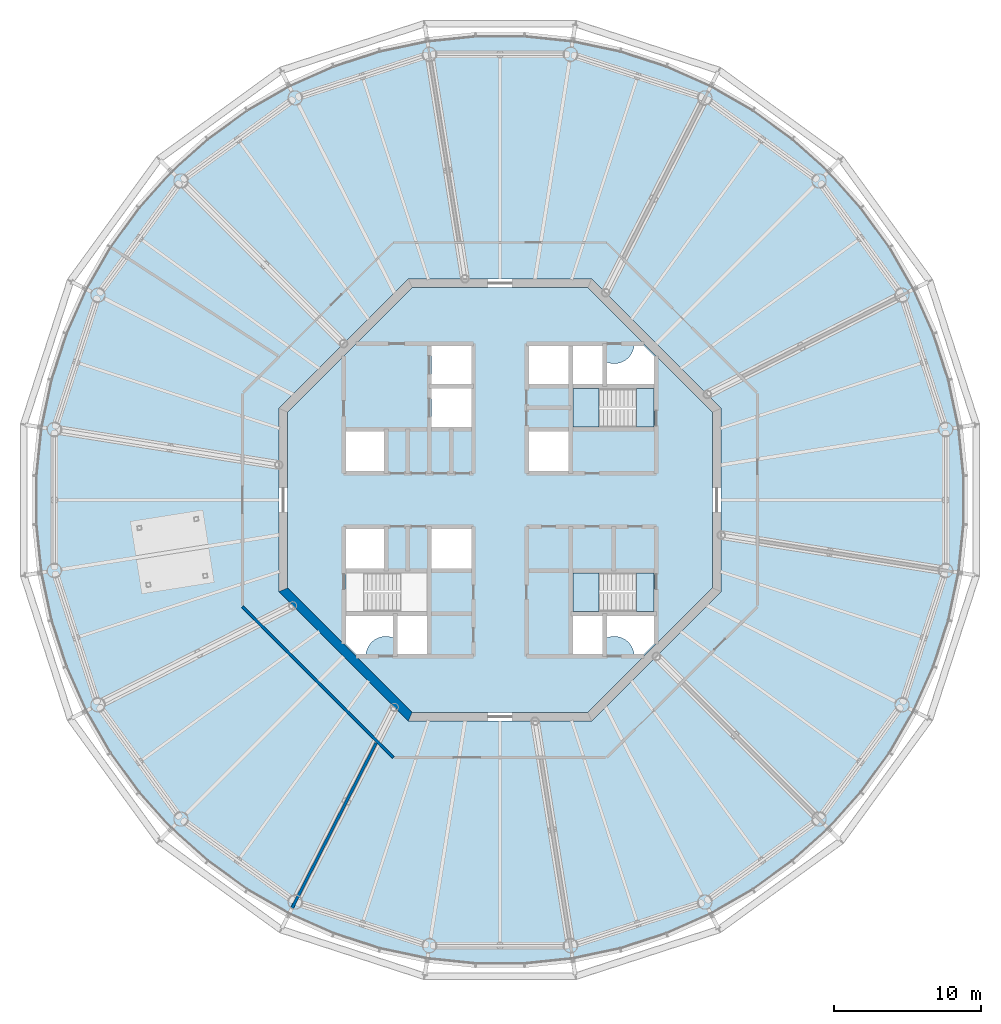
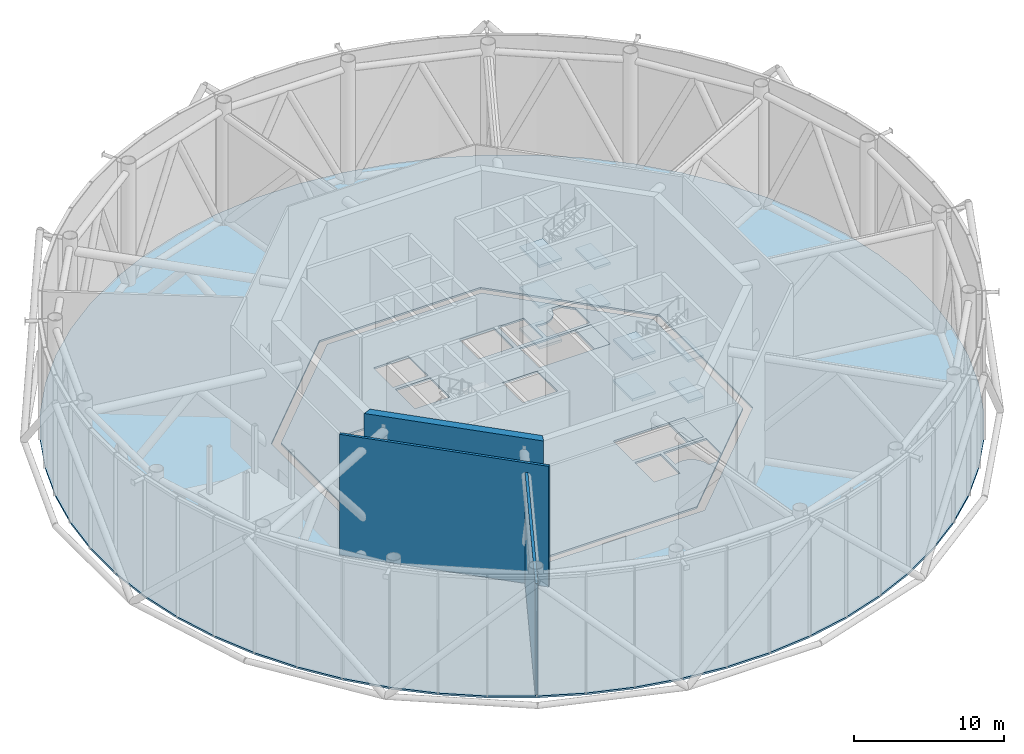
# One storey, part 5 of 23: 13 slabs, 3 walls, 2 elements without a shape of their own.
"""IFC4 building model written with IfcOpenShell, lengths in metres."""

from ifc_helpers import new_model, si_unit, direction, frame, frame_2d, origin, place, context, subcontext, project, spatial, polyline, rectangle, outline, extrude, material, layer, layer_set, type_object, element, aggregate, save


model = new_model("IFC4")

# Units and contexts
model_context = context("Model", 3, precision=1e-05, world=origin(), true_north=direction((0.0, 1.0)))
body_context = subcontext(model_context, "Body", "Model", "MODEL_VIEW")
ifc_project = project(units=[si_unit("LENGTHUNIT", "METRE"), si_unit("AREAUNIT", "SQUARE_METRE"), si_unit("VOLUMEUNIT", "CUBIC_METRE"), si_unit("PLANEANGLEUNIT", "RADIAN"), si_unit("MASSUNIT", "GRAM", prefix="KILO")], contexts=[model_context])

# Site, building, storey
site_placement = place(None, origin())
site = spatial("IfcSite", under=ifc_project, at=site_placement, CompositionType="ELEMENT")
building_placement = place(site_placement, origin())
building = spatial("IfcBuilding", under=site, at=building_placement, Name="Entoto Ring Tower", CompositionType="ELEMENT")
storey_placement = place(building_placement, frame((0.0, 0.0, 392.0)))
storey = spatial("IfcBuildingStorey", under=building, at=storey_placement, Name="L91", CompositionType="ELEMENT", Elevation=392.0)

# Slabs
ifc_material_1 = material(Name="Concrete C30/37", Category="concrete")
ifc_layer_1 = layer(ifc_material_1, 0.14990234375)
ifc_layer_set_1 = layer_set([ifc_layer_1], Name="Concrete C30/37")
slab_type_1 = type_object("IfcSlabType", Name="Composite floor slab 150 mm", PredefinedType="FLOOR", material=ifc_layer_set_1)
slab_1_placement = place(storey_placement, frame((0.0, 0.0, -0.14990234375)))
element("IfcSlab", 1, at=slab_1_placement, inside=storey, type_object=slab_type_1, Name="Floor slab L91", PredefinedType="FLOOR", context=body_context, shape_type="SweptSolid", body=[
    extrude(outline(polyline([(121.2109375, 84.943359375), (120.523193359375, 88.1787109375), (119.501220703125, 91.324462890625), (118.15576171875, 94.34619140625), (116.501953125, 97.210693359375), (114.557861328125, 99.886474609375), (112.344482421875, 102.344482421875), (109.886474609375, 104.557861328125), (107.210693359375, 106.501953125), (104.34619140625, 108.15576171875), (101.324462890625, 109.501220703125), (98.1787109375, 110.523193359375), (94.943359375, 111.2109375), (91.65380859375, 111.556640625), (88.34619140625, 111.556640625), (85.056640625, 111.2109375), (81.8212890625, 110.523193359375), (78.675537109375, 109.501220703125), (75.65380859375, 108.15576171875), (72.789306640625, 106.501953125), (70.113525390625, 104.557861328125), (67.655517578125, 102.344482421875), (65.442138671875, 99.886474609375), (63.498046875, 97.210693359375), (61.84423828125, 94.34619140625), (60.498779296875, 91.324462890625), (59.476806640625, 88.1787109375), (58.7890625, 84.943359375), (58.443359375, 81.65380859375), (58.443359375, 78.34619140625), (58.7890625, 75.056640625), (59.476806640625, 71.8212890625), (60.498779296875, 68.675537109375), (61.84423828125, 65.65380859375), (63.498046875, 62.789306640625), (65.442138671875, 60.113525390625), (67.655517578125, 57.655517578125), (70.113525390625, 55.442138671875), (72.789306640625, 53.498046875), (75.65380859375, 51.84423828125), (78.675537109375, 50.498779296875), (81.8212890625, 49.476806640625), (85.056640625, 48.7890625), (88.34619140625, 48.443359375), (91.65380859375, 48.443359375), (94.943359375, 48.7890625), (98.1787109375, 49.476806640625), (101.324462890625, 50.498779296875), (104.34619140625, 51.84423828125), (107.210693359375, 53.498046875), (109.886474609375, 55.442138671875), (112.344482421875, 57.655517578125), (114.557861328125, 60.113525390625), (116.501953125, 62.789306640625), (118.15576171875, 65.65380859375), (119.501220703125, 68.675537109375), (120.523193359375, 71.8212890625), (121.2109375, 75.056640625), (121.556640625, 78.34619140625), (121.556640625, 81.65380859375), (121.2109375, 84.943359375)]), holes=[polyline([(105.0, 73.786865234375), (105.0, 86.213134765625), (96.213134765625, 95.0), (83.786865234375, 95.0), (75.0, 86.213134765625), (75.0, 73.786865234375), (83.786865234375, 65.0), (96.213134765625, 65.0), (105.0, 73.786865234375)])]), origin(), (0.0, 0.0, 1.0), 0.14990234375),
])
ifc_material_2 = material(Name="Concrete C40/50", Category="concrete")
ifc_layer_2 = layer(ifc_material_2, 0.14990234375)
ifc_layer_set_2 = layer_set([ifc_layer_2], Name="Concrete C40/50")
slab_type_2 = type_object("IfcSlabType", Name="Core floor slab 150 mm reinforced concrete C40/50", PredefinedType="FLOOR", material=ifc_layer_set_2)
slab_2_placement = place(storey_placement, frame((0.0, 0.0, -0.14990234375)))
element("IfcSlab", 2, at=slab_2_placement, inside=storey, type_object=slab_type_2, Name="Core floor L91", PredefinedType="FLOOR", context=body_context, shape_type="SweptSolid", body=[
    extrude(outline(polyline([(104.39990234375, 74.035400390625), (104.39990234375, 85.964599609375), (95.964599609375, 94.39990234375), (84.035400390625, 94.39990234375), (75.60009765625, 85.964599609375), (75.60009765625, 74.035400390625), (84.035400390625, 65.60009765625), (95.964599609375, 65.60009765625), (104.39990234375, 74.035400390625)]), holes=[polyline([(100.449951171875, 84.949951171875), (100.449951171875, 87.550048828125), (94.949951171875, 87.550048828125), (94.949951171875, 84.949951171875), (100.449951171875, 84.949951171875)]), polyline([(85.050048828125, 72.449951171875), (85.050048828125, 75.050048828125), (79.550048828125, 75.050048828125), (79.550048828125, 72.449951171875), (85.050048828125, 72.449951171875)]), polyline([(100.449951171875, 72.449951171875), (100.449951171875, 75.050048828125), (94.949951171875, 75.050048828125), (94.949951171875, 72.449951171875), (100.449951171875, 72.449951171875)]), polyline([(94.949951171875, 90.449951171875), (94.949951171875, 87.85009765625), (96.949951171875, 87.85009765625), (96.949951171875, 90.449951171875), (94.949951171875, 90.449951171875)]), polyline([(94.949951171875, 72.14990234375), (94.949951171875, 69.550048828125), (96.949951171875, 69.550048828125), (96.949951171875, 72.14990234375), (94.949951171875, 72.14990234375)]), polyline([(83.050048828125, 72.14990234375), (83.050048828125, 69.550048828125), (85.050048828125, 69.550048828125), (85.050048828125, 72.14990234375), (83.050048828125, 72.14990234375)]), polyline([(79.550048828125, 81.949951171875), (82.14990234375, 81.949951171875), (82.14990234375, 84.64990234375), (79.550048828125, 84.64990234375), (79.550048828125, 81.949951171875)]), polyline([(79.550048828125, 75.35009765625), (82.14990234375, 75.35009765625), (82.14990234375, 78.050048828125), (79.550048828125, 78.050048828125), (79.550048828125, 75.35009765625)]), polyline([(91.949951171875, 87.85009765625), (94.64990234375, 87.85009765625), (94.64990234375, 90.449951171875), (91.949951171875, 90.449951171875), (91.949951171875, 87.85009765625)]), polyline([(91.949951171875, 81.949951171875), (94.64990234375, 81.949951171875), (94.64990234375, 84.64990234375), (91.949951171875, 84.64990234375), (91.949951171875, 81.949951171875)]), polyline([(85.35009765625, 75.35009765625), (88.050048828125, 75.35009765625), (88.050048828125, 78.050048828125), (85.35009765625, 78.050048828125), (85.35009765625, 75.35009765625)]), polyline([(85.35009765625, 84.949951171875), (88.050048828125, 84.949951171875), (88.050048828125, 87.550048828125), (85.35009765625, 87.550048828125), (85.35009765625, 84.949951171875)]), polyline([(85.35009765625, 87.85009765625), (88.050048828125, 87.85009765625), (88.050048828125, 90.449951171875), (85.35009765625, 90.449951171875), (85.35009765625, 87.85009765625)]), polyline([(97.199951171875, 89.368408203125), (97.199951171875, 87.800048828125), (100.5, 87.800048828125), (100.5, 89.723388671875), (99.723388671875, 90.5), (99.09521484375, 90.5), (99.093505859375, 90.4677734375), (99.07421875, 90.336669921875), (99.0419921875, 90.2080078125), (98.997314453125, 90.08349609375), (98.940673828125, 89.963623046875), (98.87255859375, 89.85009765625), (98.793701171875, 89.74365234375), (98.70458984375, 89.6455078125), (98.6064453125, 89.556396484375), (98.5, 89.4775390625), (98.386474609375, 89.409423828125), (98.2666015625, 89.352783203125), (98.141845703125, 89.30810546875), (98.013427734375, 89.27587890625), (97.88232421875, 89.256591796875), (97.75, 89.25), (97.61767578125, 89.256591796875), (97.486572265625, 89.27587890625), (97.358154296875, 89.30810546875), (97.2333984375, 89.352783203125), (97.199951171875, 89.368408203125)]), polyline([(80.276611328125, 69.5), (80.90478515625, 69.5), (80.906494140625, 69.5322265625), (80.92578125, 69.663330078125), (80.9580078125, 69.7919921875), (81.002685546875, 69.91650390625), (81.059326171875, 70.036376953125), (81.12744140625, 70.14990234375), (81.206298828125, 70.25634765625), (81.29541015625, 70.3544921875), (81.3935546875, 70.443603515625), (81.5, 70.5224609375), (81.613525390625, 70.590576171875), (81.7333984375, 70.647216796875), (81.858154296875, 70.69189453125), (81.986572265625, 70.72412109375), (82.11767578125, 70.743408203125), (82.25, 70.75), (82.38232421875, 70.743408203125), (82.513427734375, 70.72412109375), (82.641845703125, 70.69189453125), (82.7666015625, 70.647216796875), (82.800048828125, 70.631591796875), (82.800048828125, 72.199951171875), (79.5, 72.199951171875), (79.5, 70.276611328125), (80.276611328125, 69.5)]), polyline([(99.09521484375, 69.5), (99.723388671875, 69.5), (100.5, 70.276611328125), (100.5, 72.199951171875), (97.199951171875, 72.199951171875), (97.199951171875, 70.631591796875), (97.2333984375, 70.647216796875), (97.358154296875, 70.69189453125), (97.486572265625, 70.72412109375), (97.61767578125, 70.743408203125), (97.75, 70.75), (97.88232421875, 70.743408203125), (98.013427734375, 70.72412109375), (98.141845703125, 70.69189453125), (98.2666015625, 70.647216796875), (98.386474609375, 70.590576171875), (98.5, 70.5224609375), (98.6064453125, 70.443603515625), (98.70458984375, 70.3544921875), (98.793701171875, 70.25634765625), (98.87255859375, 70.14990234375), (98.940673828125, 70.036376953125), (98.997314453125, 69.91650390625), (99.0419921875, 69.7919921875), (99.07421875, 69.663330078125), (99.093505859375, 69.5322265625), (99.09521484375, 69.5)])]), origin(), (0.0, 0.0, 1.0), 0.14990234375),
])

# Stair, slabs
ifc_material_3 = material(Name="Concrete C40/50", Category="concrete")
stair_type = type_object("IfcStairType", Name="Exit stair 1200 mm dog-leg reinforced concrete", PredefinedType="HALF_TURN_STAIR", material=ifc_material_3)
stair_1_placement = place(storey_placement, origin())
stair_1 = element("IfcStair", 3, at=stair_1_placement, inside=storey, type_object=stair_type, Name="Exit stair 1", PredefinedType="HALF_TURN_STAIR")
ifc_material_4 = material(Name="Concrete C40/50", Category="concrete")
ifc_layer_3 = layer(ifc_material_4, 0.199951171875)
ifc_layer_set_3 = layer_set([ifc_layer_3], Name="Concrete C40/50")
slab_type_3 = type_object("IfcSlabType", Name="Stair landing 200 mm reinforced concrete", PredefinedType="LANDING", material=ifc_layer_set_3)
slab_3_placement = place(storey_placement, frame((0.0, 0.0, -0.199951171875)))
slab_3 = element("IfcSlab", 4, at=slab_3_placement, type_object=slab_type_3, Name="ST1 landing 1", PredefinedType="LANDING", context=body_context, shape_type="SweptSolid", body=[
    extrude(outline(polyline([(100.449951171875, 84.949951171875), (100.449951171875, 87.550048828125), (99.25, 87.550048828125), (99.25, 84.949951171875), (100.449951171875, 84.949951171875)])), origin(), (0.0, 0.0, 1.0), 0.199951171875),
])
slab_4_placement = place(storey_placement, frame((0.0, 0.0, 1.466796875)))
slab_4 = element("IfcSlab", 5, at=slab_4_placement, type_object=slab_type_3, Name="ST1 landing 2", PredefinedType="LANDING", context=body_context, shape_type="SweptSolid", body=[
    extrude(outline(polyline([(94.949951171875, 84.949951171875), (96.72998046875, 84.949951171875), (96.72998046875, 87.550048828125), (94.949951171875, 87.550048828125), (94.949951171875, 84.949951171875)])), origin(), (0.0, 0.0, 1.0), 0.199951171875),
])
slab_5_placement = place(storey_placement, frame((0.0, 0.0, 3.13330078125)))
slab_5 = element("IfcSlab", 6, at=slab_5_placement, type_object=slab_type_3, Name="ST1 landing 3", PredefinedType="LANDING", context=body_context, shape_type="SweptSolid", body=[
    extrude(outline(polyline([(99.25, 84.949951171875), (100.449951171875, 84.949951171875), (100.449951171875, 87.550048828125), (99.25, 87.550048828125), (99.25, 84.949951171875)])), origin(), (0.0, 0.0, 1.0), 0.199951171875),
])
slab_6_placement = place(storey_placement, frame((0.0, 0.0, 4.800048828125)))
slab_6 = element("IfcSlab", 7, at=slab_6_placement, type_object=slab_type_3, Name="ST1 landing 4", PredefinedType="LANDING", context=body_context, shape_type="SweptSolid", body=[
    extrude(outline(polyline([(94.949951171875, 84.949951171875), (96.72998046875, 84.949951171875), (96.72998046875, 87.550048828125), (94.949951171875, 87.550048828125), (94.949951171875, 84.949951171875)])), origin(), (0.0, 0.0, 1.0), 0.199951171875),
])
slab_7_placement = place(storey_placement, frame((0.0, 0.0, 6.466796875)))
slab_7 = element("IfcSlab", 8, at=slab_7_placement, type_object=slab_type_3, Name="ST1 landing 5", PredefinedType="LANDING", context=body_context, shape_type="SweptSolid", body=[
    extrude(outline(polyline([(99.25, 84.949951171875), (100.449951171875, 84.949951171875), (100.449951171875, 87.550048828125), (99.25, 87.550048828125), (99.25, 84.949951171875)])), origin(), (0.0, 0.0, 1.0), 0.199951171875),
])
slab_8_placement = place(storey_placement, frame((0.0, 0.0, 8.13330078125)))
slab_8 = element("IfcSlab", 9, at=slab_8_placement, type_object=slab_type_3, Name="ST1 landing 6", PredefinedType="LANDING", context=body_context, shape_type="SweptSolid", body=[
    extrude(outline(polyline([(94.949951171875, 84.949951171875), (96.72998046875, 84.949951171875), (96.72998046875, 87.550048828125), (94.949951171875, 87.550048828125), (94.949951171875, 84.949951171875)])), origin(), (0.0, 0.0, 1.0), 0.199951171875),
])
aggregate(stair_1, [slab_3, slab_4, slab_5, slab_6, slab_7, slab_8])

stair_2_placement = place(storey_placement, origin())
stair_2 = element("IfcStair", 10, at=stair_2_placement, inside=storey, type_object=stair_type, Name="Exit stair 3", PredefinedType="HALF_TURN_STAIR")
slab_9_placement = place(storey_placement, frame((0.0, 0.0, -0.199951171875)))
slab_9 = element("IfcSlab", 11, at=slab_9_placement, type_object=slab_type_3, Name="ST3 landing 1", PredefinedType="LANDING", context=body_context, shape_type="SweptSolid", body=[
    extrude(outline(polyline([(100.449951171875, 72.449951171875), (100.449951171875, 75.050048828125), (99.25, 75.050048828125), (99.25, 72.449951171875), (100.449951171875, 72.449951171875)])), origin(), (0.0, 0.0, 1.0), 0.199951171875),
])
slab_10_placement = place(storey_placement, frame((0.0, 0.0, 3.13330078125)))
slab_10 = element("IfcSlab", 12, at=slab_10_placement, type_object=slab_type_3, Name="ST3 landing 3", PredefinedType="LANDING", context=body_context, shape_type="SweptSolid", body=[
    extrude(outline(polyline([(99.25, 72.449951171875), (100.449951171875, 72.449951171875), (100.449951171875, 75.050048828125), (99.25, 75.050048828125), (99.25, 72.449951171875)])), origin(), (0.0, 0.0, 1.0), 0.199951171875),
])
slab_11_placement = place(storey_placement, frame((0.0, 0.0, 4.800048828125)))
slab_11 = element("IfcSlab", 13, at=slab_11_placement, type_object=slab_type_3, Name="ST3 landing 4", PredefinedType="LANDING", context=body_context, shape_type="SweptSolid", body=[
    extrude(outline(polyline([(94.949951171875, 72.449951171875), (96.72998046875, 72.449951171875), (96.72998046875, 75.050048828125), (94.949951171875, 75.050048828125), (94.949951171875, 72.449951171875)])), origin(), (0.0, 0.0, 1.0), 0.199951171875),
])
slab_12_placement = place(storey_placement, frame((0.0, 0.0, 6.466796875)))
slab_12 = element("IfcSlab", 14, at=slab_12_placement, type_object=slab_type_3, Name="ST3 landing 5", PredefinedType="LANDING", context=body_context, shape_type="SweptSolid", body=[
    extrude(outline(polyline([(99.25, 72.449951171875), (100.449951171875, 72.449951171875), (100.449951171875, 75.050048828125), (99.25, 75.050048828125), (99.25, 72.449951171875)])), origin(), (0.0, 0.0, 1.0), 0.199951171875),
])
slab_13_placement = place(storey_placement, frame((0.0, 0.0, 8.13330078125)))
slab_13 = element("IfcSlab", 15, at=slab_13_placement, type_object=slab_type_3, Name="ST3 landing 6", PredefinedType="LANDING", context=body_context, shape_type="SweptSolid", body=[
    extrude(outline(polyline([(94.949951171875, 72.449951171875), (96.72998046875, 72.449951171875), (96.72998046875, 75.050048828125), (94.949951171875, 75.050048828125), (94.949951171875, 72.449951171875)])), origin(), (0.0, 0.0, 1.0), 0.199951171875),
])
aggregate(stair_2, [slab_9, slab_10, slab_11, slab_12, slab_13])

# Walls
ifc_material_5 = material(Name="Concrete C40/50", Category="concrete")
ifc_layer_4 = layer(ifc_material_5, 0.60009765625)
ifc_layer_set_4 = layer_set([ifc_layer_4], Name="Concrete C40/50")
wall_type_1 = type_object("IfcWallType", Name="Core shear wall 600 mm reinforced concrete C40/50", PredefinedType="SHEAR", material=ifc_layer_set_4)
wall_1_placement = place(storey_placement, frame((75.300048828125, 73.9111328125, 0.0), z_axis=(0.0, 0.0, 1.0), x_axis=(0.707106781187, -0.707106781187, 0.0)))
element("IfcWall", 16, at=wall_1_placement, inside=storey, type_object=wall_type_1, Name="wall-L91-core-5", PredefinedType="SHEAR", context=body_context, shape_type="SweptSolid", body=[
    extrude(outline(polyline([(-0.124267578125, -0.300048828125), (12.30224609375, -0.300048828125), (12.0537109375, 0.300048828125), (0.124267578125, 0.300048828125), (-0.124267578125, -0.300048828125)])), origin(), (0.0, 0.0, 1.0), 10.0),
])
ifc_material_6 = material(Name="Concrete C20/25", Category="concrete")
ifc_layer_5 = layer(ifc_material_6, 0.199951171875)
ifc_layer_set_5 = layer_set([ifc_layer_5], Name="Concrete C20/25")
wall_type_2 = type_object("IfcWallType", Name="Plant room wall 200 mm two-hour concrete", PredefinedType="PARTITIONING", material=ifc_layer_set_5)
wall_2_placement = place(storey_placement, frame((82.766845703125, 62.53759765625, 0.0), z_axis=(0.0, 0.0, 1.0), x_axis=(-0.707106781187, 0.707106781187, 0.0)))
element("IfcWall", 17, at=wall_2_placement, inside=storey, type_object=wall_type_2, Name="partition-L91-005", PredefinedType="PARTITIONING", context=body_context, shape_type="SweptSolid", body=[
    extrude(rectangle(XDim=14.46630859375, YDim=0.199951171875, at=frame_2d((7.233154296875, 0.0))), origin(), (0.0, 0.0, 1.0), 9.85009765625),
])
ifc_material_7 = material(Name="Concrete C20/25", Category="concrete")
ifc_layer_6 = layer(ifc_material_7, 0.199951171875)
ifc_layer_set_6 = layer_set([ifc_layer_6], Name="Concrete C20/25")
wall_type_3 = type_object("IfcWallType", Name="Plant room wall 200 mm two-hour concrete, 9097 mm high", PredefinedType="PARTITIONING", material=ifc_layer_set_6)
wall_3_placement = place(storey_placement, frame((75.7265625, 51.98681640625, 0.0), z_axis=(0.0, 0.0, 1.0), x_axis=(0.453992192443, 0.891005661711, 0.0)))
element("IfcWall", 18, at=wall_3_placement, inside=storey, type_object=wall_type_3, Name="partition-L91-014", PredefinedType="PARTITIONING", context=body_context, shape_type="SweptSolid", body=[
    extrude(rectangle(XDim=12.94140625, YDim=0.199951171875, at=frame_2d((6.470703125, 0.0))), origin(), (0.0, 0.0, 1.0), 9.096923828125),
])

save(model, "model.ifc")
